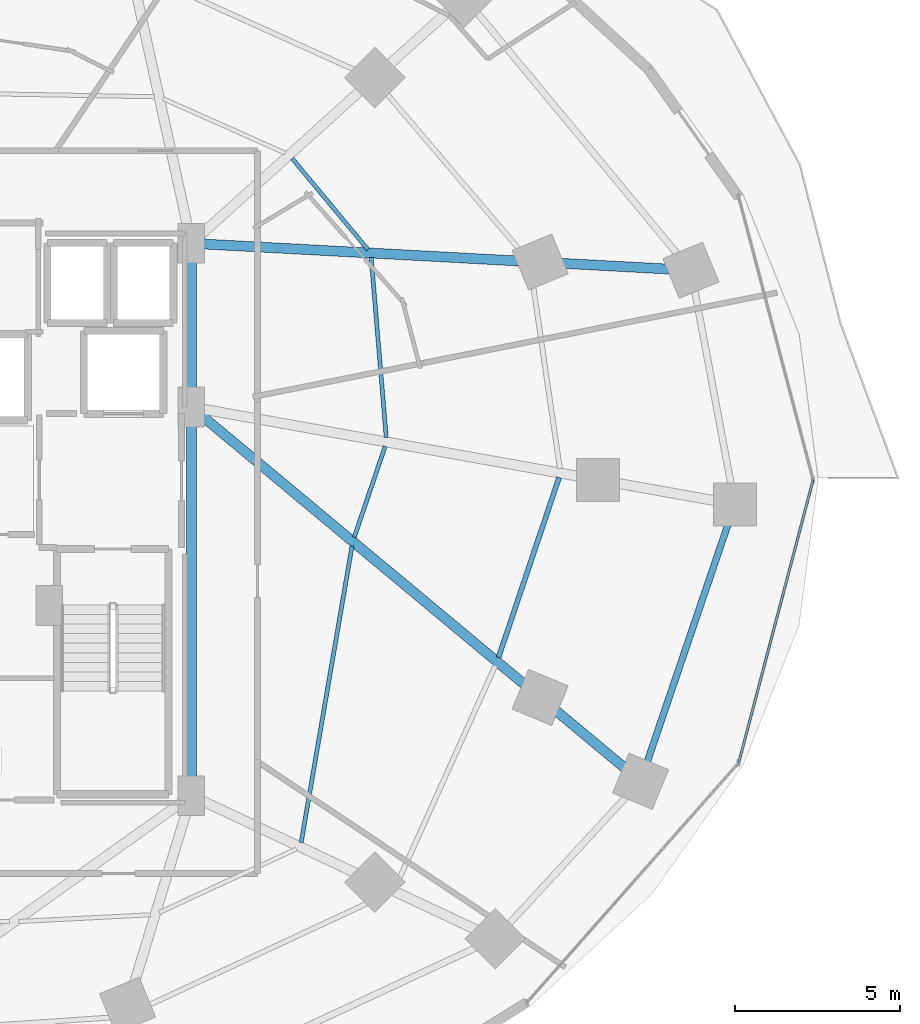
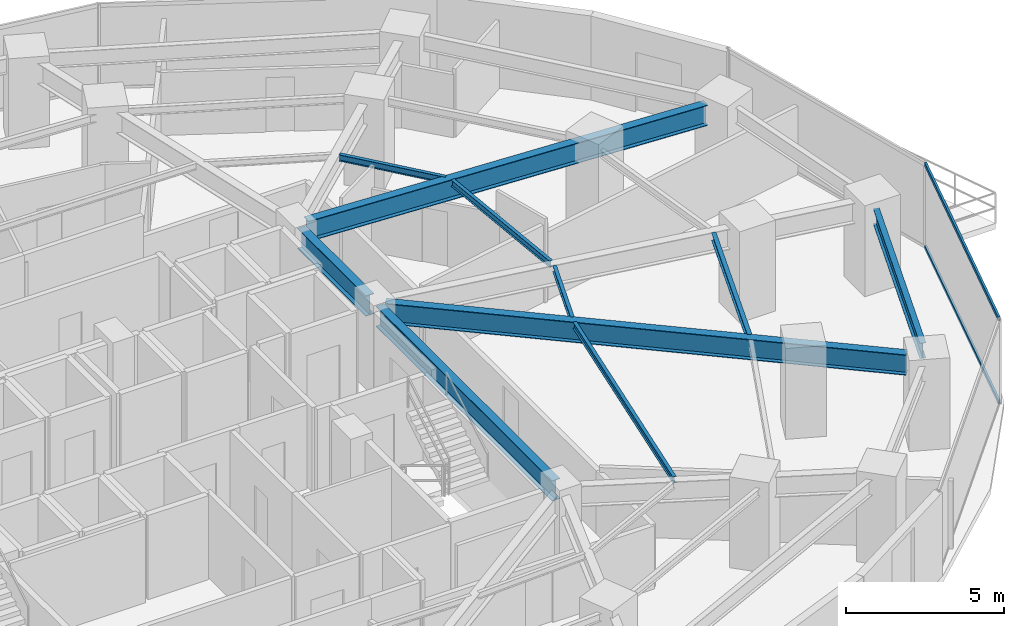
# One storey, part 14 of 33: 10 beams, 2 members, 1 element without a shape of its own.
"""IFC4 building model written with IfcOpenShell, lengths in metres."""

from ifc_helpers import new_model, si_unit, direction, frame, origin, origin_2d, place, context, subcontext, project, spatial, hollow_rectangle, i_section, extrude, material, material_profile, profile_set, type_object, element, aggregate, save


model = new_model("IFC4")

# Units and contexts
model_context = context("Model", 3, precision=1e-05, world=origin(), true_north=direction((0.0, 1.0)))
body_context = subcontext(model_context, "Body", "Model", "MODEL_VIEW")
ifc_project = project(units=[si_unit("LENGTHUNIT", "METRE"), si_unit("AREAUNIT", "SQUARE_METRE"), si_unit("VOLUMEUNIT", "CUBIC_METRE"), si_unit("PLANEANGLEUNIT", "RADIAN"), si_unit("MASSUNIT", "GRAM", prefix="KILO")], contexts=[model_context])

# Site, building, storey
site_placement = place(None, origin())
site = spatial("IfcSite", under=ifc_project, at=site_placement, CompositionType="ELEMENT")
building_placement = place(site_placement, origin())
building = spatial("IfcBuilding", under=site, at=building_placement, Name="Vorneva Point Tower", CompositionType="ELEMENT")
storey_placement = place(building_placement, frame((0.0, 0.0, 38.0)))
storey = spatial("IfcBuildingStorey", under=building, at=storey_placement, Name="L09", CompositionType="ELEMENT", Elevation=38.0)

# Beams
ifc_material_1 = material(Name="Steel S355", Category="steel")
ifc_material_profile_1 = material_profile(ifc_material_1, i_section(OverallWidth=0.300048828125, OverallDepth=0.7880859375, WebThickness=0.014404296875, FlangeThickness=0.02197265625, at=origin_2d()), Name="80Sh1")
ifc_profile_set_1 = profile_set([ifc_material_profile_1], Name="Steel S355")
beam_type_1 = type_object("IfcBeamType", Name="BM-GRD-80Sh1", PredefinedType="USERDEFINED", material=ifc_profile_set_1)
beam_1_placement = place(storey_placement, frame((63.21728515625, 32.37109375, 2.845947265625), z_axis=(-0.998554288689, 0.053752511954, 0.0), x_axis=(-0.053752511954, -0.998554288689, 0.0)))
element("IfcBeam", 1, at=beam_1_placement, inside=storey, type_object=beam_type_1, Name="L09 Radial Primary Girder 02", ObjectType="GIRDER", PredefinedType="USERDEFINED", context=body_context, shape_type="SweptSolid", body=[
    extrude(i_section(OverallWidth=0.300048828125, OverallDepth=0.7880859375, WebThickness=0.014404296875, FlangeThickness=0.02197265625, at=origin_2d()), origin(), (0.0, 0.0, 1.0), 14.148193359375),
])
beam_2_placement = place(storey_placement, frame((61.844482421875, 17.294921875, 2.845947265625), z_axis=(-0.76842374394, 0.639941364306, 0.0), x_axis=(-0.639941364306, -0.76842374394, 0.0)))
element("IfcBeam", 2, at=beam_2_placement, inside=storey, type_object=beam_type_1, Name="L09 Radial Primary Girder 16", ObjectType="GIRDER", PredefinedType="USERDEFINED", context=body_context, shape_type="SweptSolid", body=[
    extrude(i_section(OverallWidth=0.300048828125, OverallDepth=0.7880859375, WebThickness=0.014404296875, FlangeThickness=0.02197265625, at=origin_2d()), origin(), (0.0, 0.0, 1.0), 16.70068359375),
])
beam_3_placement = place(storey_placement, frame((48.75, 16.77001953125, 2.845947265625), z_axis=(0.0, 1.0, 0.0), x_axis=(-1.0, 0.0, 0.0)))
element("IfcBeam", 3, at=beam_3_placement, inside=storey, type_object=beam_type_1, Name="L09 Core Tie Girder CT3", ObjectType="GIRDER", PredefinedType="USERDEFINED", context=body_context, shape_type="SweptSolid", body=[
    extrude(i_section(OverallWidth=0.300048828125, OverallDepth=0.7880859375, WebThickness=0.014404296875, FlangeThickness=0.02197265625, at=origin_2d()), origin(), (0.0, 0.0, 1.0), 11.10986328125),
])
beam_4_placement = place(storey_placement, frame((48.75, 28.52001953125, 2.845947265625), z_axis=(0.0, 1.0, 0.0), x_axis=(-1.0, 0.0, 0.0)))
element("IfcBeam", 4, at=beam_4_placement, inside=storey, type_object=beam_type_1, Name="L09 Core Tie Girder CT4", ObjectType="GIRDER", PredefinedType="USERDEFINED", context=body_context, shape_type="SweptSolid", body=[
    extrude(i_section(OverallWidth=0.300048828125, OverallDepth=0.7880859375, WebThickness=0.014404296875, FlangeThickness=0.02197265625, at=origin_2d()), origin(), (0.0, 0.0, 1.0), 4.31005859375),
])
ifc_material_profile_2 = material_profile(ifc_material_1, i_section(OverallWidth=0.1240234375, OverallDepth=0.248046875, WebThickness=0.0048828125, FlangeThickness=0.008056640625, at=origin_2d()), Name="25B1")
ifc_profile_set_2 = profile_set([ifc_material_profile_2], Name="Steel S355")
beam_type_2 = type_object("IfcBeamType", Name="BM-JST-25B1", PredefinedType="JOIST", material=ifc_profile_set_2)
beam_5_placement = place(storey_placement, frame((54.64208984375, 27.281494140625, 3.115966796875), z_axis=(-0.083382361072, 0.996517627472, 0.0), x_axis=(-0.996517627472, -0.083382361072, 0.0)))
element("IfcBeam", 5, at=beam_5_placement, inside=storey, type_object=beam_type_2, Name="L09 Secondary Floor Beam 2.01", PredefinedType="JOIST", context=body_context, shape_type="SweptSolid", body=[
    extrude(i_section(OverallWidth=0.1240234375, OverallDepth=0.248046875, WebThickness=0.0048828125, FlangeThickness=0.008056640625, at=origin_2d()), origin(), (0.0, 0.0, 1.0), 5.457763671875),
])
beam_6_placement = place(storey_placement, frame((54.08740234375, 32.964111328125, 3.115966796875), z_axis=(-0.639251768182, 0.76899751422, 0.0), x_axis=(-0.76899751422, -0.639251768182, 0.0)))
element("IfcBeam", 6, at=beam_6_placement, inside=storey, type_object=beam_type_2, Name="L09 Secondary Floor Beam 2.02", PredefinedType="JOIST", context=body_context, shape_type="SweptSolid", body=[
    extrude(i_section(OverallWidth=0.1240234375, OverallDepth=0.248046875, WebThickness=0.0048828125, FlangeThickness=0.008056640625, at=origin_2d()), origin(), (0.0, 0.0, 1.0), 3.580810546875),
])
beam_7_placement = place(storey_placement, frame((52.0703125, 15.033935546875, 3.115966796875), z_axis=(0.16904576421, 0.985608202889, 0.0), x_axis=(-0.985608202889, 0.16904576421, 0.0)))
element("IfcBeam", 7, at=beam_7_placement, inside=storey, type_object=beam_type_2, Name="L09 Secondary Floor Beam 2.15", PredefinedType="JOIST", context=body_context, shape_type="SweptSolid", body=[
    extrude(i_section(OverallWidth=0.1240234375, OverallDepth=0.248046875, WebThickness=0.0048828125, FlangeThickness=0.008056640625, at=origin_2d()), origin(), (0.0, 0.0, 1.0), 9.095703125),
])
beam_8_placement = place(storey_placement, frame((53.67578125, 24.265380859375, 3.115966796875), z_axis=(0.321673498542, 0.94685065366, 0.0), x_axis=(-0.94685065366, 0.321673498542, 0.0)))
element("IfcBeam", 8, at=beam_8_placement, inside=storey, type_object=beam_type_2, Name="L09 Secondary Floor Beam 2.16", PredefinedType="JOIST", context=body_context, shape_type="SweptSolid", body=[
    extrude(i_section(OverallWidth=0.1240234375, OverallDepth=0.248046875, WebThickness=0.0048828125, FlangeThickness=0.008056640625, at=origin_2d()), origin(), (0.0, 0.0, 1.0), 2.90234375),
])
ifc_material_profile_3 = material_profile(ifc_material_1, i_section(OverallWidth=0.14892578125, OverallDepth=0.298095703125, WebThickness=0.005615234375, FlangeThickness=0.008056640625, at=origin_2d()), Name="30B1")
ifc_profile_set_3 = profile_set([ifc_material_profile_3], Name="Steel S355")
beam_type_3 = type_object("IfcBeamType", Name="BM-JST-30B1", PredefinedType="JOIST", material=ifc_profile_set_3)
beam_9_placement = place(storey_placement, frame((58.03857421875, 20.6318359375, 3.091064453125), z_axis=(0.318931379391, 0.947777809004, 0.0), x_axis=(-0.947777809004, 0.318931379391, 0.0)))
element("IfcBeam", 9, at=beam_9_placement, inside=storey, type_object=beam_type_3, Name="L09 Secondary Floor Beam 1.16", PredefinedType="JOIST", context=body_context, shape_type="SweptSolid", body=[
    extrude(i_section(OverallWidth=0.14892578125, OverallDepth=0.298095703125, WebThickness=0.005615234375, FlangeThickness=0.008056640625, at=origin_2d()), origin(), (0.0, 0.0, 1.0), 5.740478515625),
])
ifc_material_profile_4 = material_profile(ifc_material_1, i_section(OverallWidth=0.198974609375, OverallDepth=0.595947265625, WebThickness=0.010009765625, FlangeThickness=0.014892578125, at=origin_2d()), Name="60B1")
ifc_profile_set_4 = profile_set([ifc_material_profile_4], Name="Steel S355")
beam_type_4 = type_object("IfcBeamType", Name="BM-SPN-60B1", PredefinedType="SPANDREL", material=ifc_profile_set_4)
beam_10_placement = place(storey_placement, frame((62.539306640625, 17.48779296875, 2.94189453125), z_axis=(0.321907355596, 0.946771173206, 0.0), x_axis=(-0.946771173206, 0.321907355596, 0.0)))
element("IfcBeam", 10, at=beam_10_placement, inside=storey, type_object=beam_type_4, Name="L09 Perimeter Spandrel Ring Beam 16", PredefinedType="SPANDREL", context=body_context, shape_type="SweptSolid", body=[
    extrude(i_section(OverallWidth=0.198974609375, OverallDepth=0.595947265625, WebThickness=0.010009765625, FlangeThickness=0.014892578125, at=origin_2d()), origin(), (0.0, 0.0, 1.0), 7.5751953125),
])

# Curtain wall, members
ifc_material_2 = material(Name="Pale anodised aluminium", Category="aluminium")
curtain_wall_type = type_object("IfcCurtainWallType", Name="CW-HTL-SYS", PredefinedType="NOTDEFINED", material=ifc_material_2)
curtain_wall_placement = place(storey_placement, origin())
curtain_wall = element("IfcCurtainWall", 11, at=curtain_wall_placement, inside=storey, type_object=curtain_wall_type, Name="L09 Unitised Curtain Wall CW-L09-R01", PredefinedType="NOTDEFINED")
ifc_material_profile_5 = material_profile(ifc_material_2, hollow_rectangle(XDim=0.074951171875, YDim=0.14990234375, WallThickness=0.00390625, at=origin_2d()), Name="AL-TRN 150x75x4")
ifc_profile_set_5 = profile_set([ifc_material_profile_5], Name="Pale anodised aluminium")
member_type = type_object("IfcMemberType", Name="CW-TRN-150", PredefinedType="USERDEFINED", material=ifc_profile_set_5)
member_1_placement = place(storey_placement, frame((65.300537109375, 17.447021484375, 0.02001953125), z_axis=(0.254358772746, 0.967109928978, 0.0), x_axis=(-0.967109928978, 0.254358772746, 0.0)))
member_1 = element("IfcMember", 12, at=member_1_placement, type_object=member_type, Name="CW-L09-R01 Transom 02.1", ObjectType="TRANSOM", PredefinedType="USERDEFINED", context=body_context, shape_type="SweptSolid", body=[
    extrude(hollow_rectangle(XDim=0.074951171875, YDim=0.14990234375, WallThickness=0.00390625, at=origin_2d()), origin(), (0.0, 0.0, 1.0), 8.84375),
])
member_2_placement = place(storey_placement, frame((65.300537109375, 17.447021484375, 3.219970703125), z_axis=(0.254358772746, 0.967109928978, 0.0), x_axis=(-0.967109928978, 0.254358772746, 0.0)))
member_2 = element("IfcMember", 13, at=member_2_placement, type_object=member_type, Name="CW-L09-R01 Transom 02.2", ObjectType="TRANSOM", PredefinedType="USERDEFINED", context=body_context, shape_type="SweptSolid", body=[
    extrude(hollow_rectangle(XDim=0.074951171875, YDim=0.14990234375, WallThickness=0.00390625, at=origin_2d()), origin(), (0.0, 0.0, 1.0), 8.84375),
])
aggregate(curtain_wall, [member_1, member_2])

save(model, "model.ifc")
